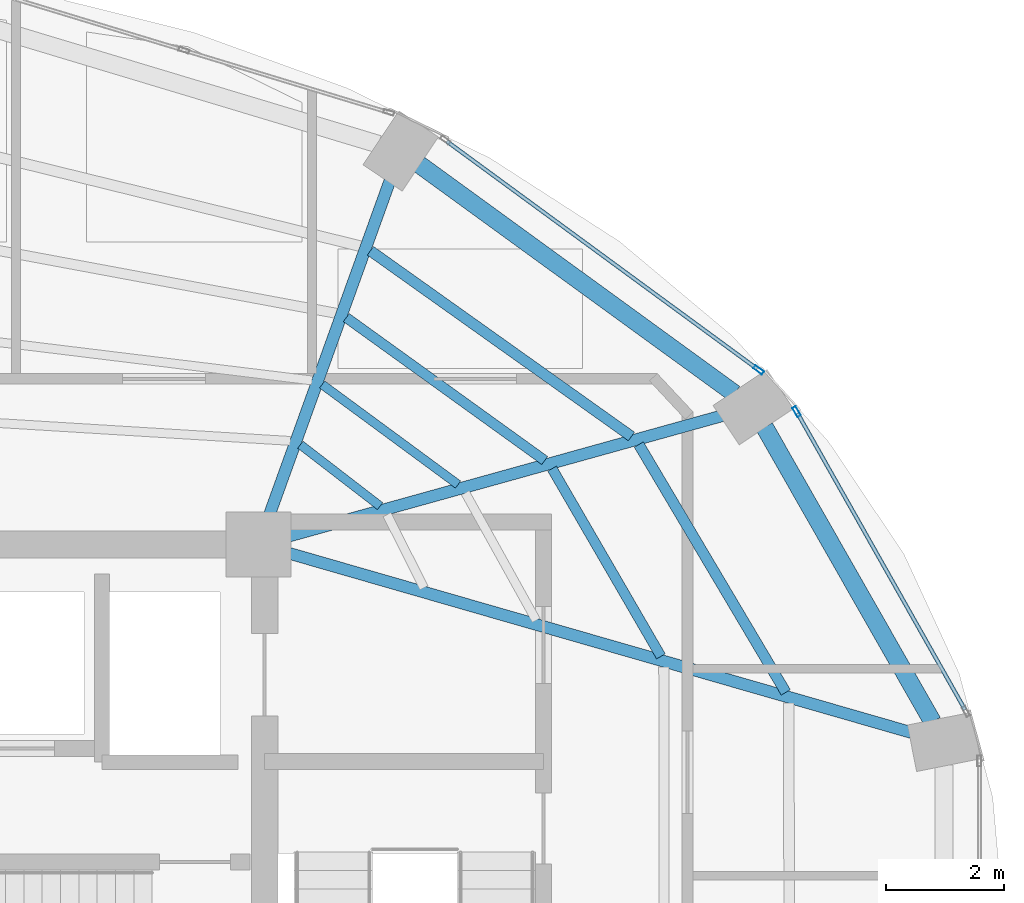
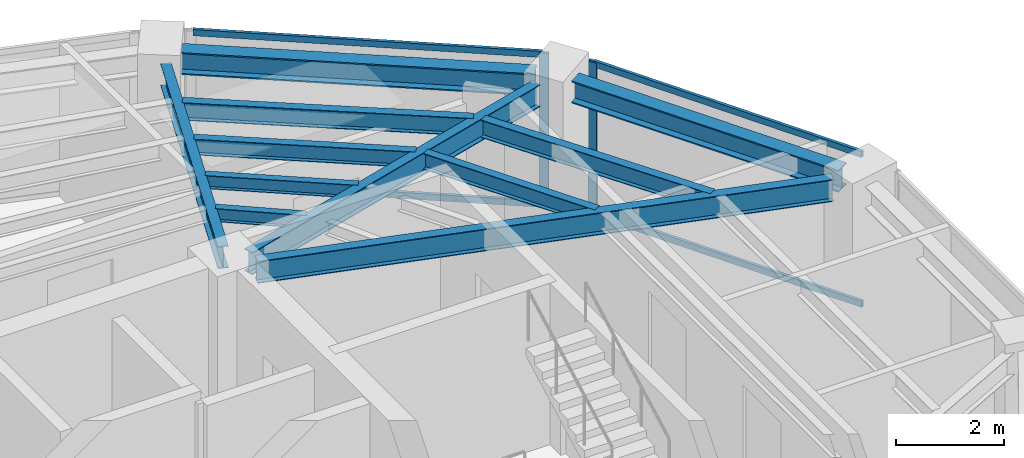
# One storey, part 6 of 15: 11 beams, 6 members, 2 elements without a shape of their own.
"""IFC4 building model written with IfcOpenShell, lengths in metres."""

from ifc_helpers import new_model, si_unit, direction, frame, origin, origin_2d, place, context, subcontext, project, spatial, hollow_rectangle, i_section, extrude, material, layer, layer_set, material_profile, profile_set, type_object, element, aggregate, save


model = new_model("IFC4")

# Units and contexts
model_context = context("Model", 3, precision=1e-05, world=origin(), true_north=direction((0.0, 1.0)))
body_context = subcontext(model_context, "Body", "Model", "MODEL_VIEW")
ifc_project = project(units=[si_unit("LENGTHUNIT", "METRE"), si_unit("AREAUNIT", "SQUARE_METRE"), si_unit("VOLUMEUNIT", "CUBIC_METRE"), si_unit("PLANEANGLEUNIT", "RADIAN"), si_unit("MASSUNIT", "GRAM", prefix="KILO")], contexts=[model_context])

# Site, building, storey
site_placement = place(None, origin())
site = spatial("IfcSite", under=ifc_project, at=site_placement, CompositionType="ELEMENT")
building_placement = place(site_placement, origin())
building = spatial("IfcBuilding", under=site, at=building_placement, Name="Lazwardi Medical Tower", CompositionType="ELEMENT")
storey_placement = place(building_placement, frame((0.0, 0.0, 269.615966796875)))
storey = spatial("IfcBuildingStorey", under=building, at=storey_placement, Name="L70", CompositionType="ELEMENT", Elevation=269.615966796875)

# Beams
ifc_material_1 = material(Name="Steel S355", Category="steel")
ifc_material_profile_1 = material_profile(ifc_material_1, i_section(OverallWidth=0.300048828125, OverallDepth=0.5, WebThickness=0.014404296875, FlangeThickness=0.028076171875, at=origin_2d()), Name="HEB 500")
ifc_profile_set_1 = profile_set([ifc_material_profile_1], Name="Steel S355")
beam_type_1 = type_object("IfcBeamType", Name="BM-RB-Z4", PredefinedType="BEAM", material=ifc_profile_set_1)
beam_1_placement = place(storey_placement, frame((56.991943359375, 32.601806640625, 3.197998046875), z_axis=(-0.495125273299, 0.868821594886, 0.0), x_axis=(-0.868821594886, -0.495125273299, 0.0)))
element("IfcBeam", 1, at=beam_1_placement, inside=storey, type_object=beam_type_1, Name="Ring beam RB-05 B05 L70", PredefinedType="BEAM", context=body_context, shape_type="SweptSolid", body=[
    extrude(i_section(OverallWidth=0.300048828125, OverallDepth=0.5, WebThickness=0.014404296875, FlangeThickness=0.028076171875, at=origin_2d()), origin(), (0.0, 0.0, 1.0), 5.734130859375),
])
beam_2_placement = place(storey_placement, frame((53.644287109375, 38.15185546875, 3.197998046875), z_axis=(-0.808889916254, 0.587960120571, 0.0), x_axis=(-0.587960120571, -0.808889916254, 0.0)))
element("IfcBeam", 2, at=beam_2_placement, inside=storey, type_object=beam_type_1, Name="Ring beam RB-05 B06 L70", PredefinedType="BEAM", context=body_context, shape_type="SweptSolid", body=[
    extrude(i_section(OverallWidth=0.300048828125, OverallDepth=0.5, WebThickness=0.014404296875, FlangeThickness=0.028076171875, at=origin_2d()), origin(), (0.0, 0.0, 1.0), 6.587158203125),
])
ifc_material_profile_2 = material_profile(ifc_material_1, i_section(OverallWidth=0.199951171875, OverallDepth=0.5, WebThickness=0.01025390625, FlangeThickness=0.01611328125, at=origin_2d()), Name="IPE 500")
ifc_profile_set_2 = profile_set([ifc_material_profile_2], Name="Steel S355")
beam_type_2 = type_object("IfcBeamType", Name="BM-RG-W3", PredefinedType="BEAM", material=ifc_profile_set_2)
beam_3_placement = place(storey_placement, frame((56.6708984375, 32.410888671875, 3.197998046875), z_axis=(-0.960926292206, 0.276804373065, 0.0), x_axis=(-0.276804373065, -0.960926292206, 0.0)))
element("IfcBeam", 3, at=beam_3_placement, inside=storey, type_object=beam_type_2, Name="Radial girder RG-04 R05 L70", PredefinedType="BEAM", context=body_context, shape_type="SweptSolid", body=[
    extrude(i_section(OverallWidth=0.199951171875, OverallDepth=0.5, WebThickness=0.01025390625, FlangeThickness=0.01611328125, at=origin_2d()), origin(), (0.0, 0.0, 1.0), 10.986083984375),
])
beam_4_placement = place(storey_placement, frame((53.444091796875, 37.779296875, 3.197998046875), z_axis=(-0.963504112843, -0.267693527254, 0.0), x_axis=(0.267693527254, -0.963504112843, 0.0)))
element("IfcBeam", 4, at=beam_4_placement, inside=storey, type_object=beam_type_2, Name="Radial girder RG-04 R06 L70", PredefinedType="BEAM", context=body_context, shape_type="SweptSolid", body=[
    extrude(i_section(OverallWidth=0.199951171875, OverallDepth=0.5, WebThickness=0.01025390625, FlangeThickness=0.01611328125, at=origin_2d()), origin(), (0.0, 0.0, 1.0), 7.606201171875),
])
beam_5_placement = place(storey_placement, frame((47.81884765625, 41.750732421875, 3.197998046875), z_axis=(-0.339348661818, -0.940660664492, 0.0), x_axis=(0.940660664492, -0.339348661818, 0.0)))
element("IfcBeam", 5, at=beam_5_placement, inside=storey, type_object=beam_type_2, Name="Radial girder RG-04 R07 L70", PredefinedType="BEAM", context=body_context, shape_type="SweptSolid", body=[
    extrude(i_section(OverallWidth=0.199951171875, OverallDepth=0.5, WebThickness=0.01025390625, FlangeThickness=0.01611328125, at=origin_2d()), origin(), (0.0, 0.0, 1.0), 6.003662109375),
])
ifc_material_profile_3 = material_profile(ifc_material_1, i_section(OverallWidth=0.179931640625, OverallDepth=0.39990234375, WebThickness=0.008544921875, FlangeThickness=0.013427734375, at=origin_2d()), Name="IPE 400")
ifc_profile_set_3 = profile_set([ifc_material_profile_3], Name="Steel S355")
beam_type_3 = type_object("IfcBeamType", Name="BM-SJ-01", PredefinedType="JOIST", material=ifc_profile_set_3)
beam_6_placement = place(storey_placement, frame((54.510986328125, 33.100830078125, 3.248046875), z_axis=(-0.510029083291, 0.860157156685, 0.0), x_axis=(-0.860157156685, -0.510029083291, 0.0)))
element("IfcBeam", 6, at=beam_6_placement, inside=storey, type_object=beam_type_3, Name="Secondary joist SJ-01 R1 B05 L70", PredefinedType="JOIST", context=body_context, shape_type="SweptSolid", body=[
    extrude(i_section(OverallWidth=0.179931640625, OverallDepth=0.39990234375, WebThickness=0.008544921875, FlangeThickness=0.013427734375, at=origin_2d()), origin(), (0.0, 0.0, 1.0), 4.87060546875),
])
beam_7_placement = place(storey_placement, frame((51.901123046875, 37.42724609375, 3.248046875), z_axis=(-0.814846949116, 0.579676159176, 0.0), x_axis=(-0.579676159176, -0.814846949116, 0.0)))
element("IfcBeam", 7, at=beam_7_placement, inside=storey, type_object=beam_type_3, Name="Secondary joist SJ-01 R1 B06 L70", PredefinedType="JOIST", context=body_context, shape_type="SweptSolid", body=[
    extrude(i_section(OverallWidth=0.179931640625, OverallDepth=0.39990234375, WebThickness=0.008544921875, FlangeThickness=0.013427734375, at=origin_2d()), origin(), (0.0, 0.0, 1.0), 5.4150390625),
])
ifc_material_profile_4 = material_profile(ifc_material_1, i_section(OverallWidth=0.169921875, OverallDepth=0.360107421875, WebThickness=0.008056640625, FlangeThickness=0.0126953125, at=origin_2d()), Name="IPE 360")
ifc_profile_set_4 = profile_set([ifc_material_profile_4], Name="Steel S355")
beam_type_4 = type_object("IfcBeamType", Name="BM-SJ-02", PredefinedType="JOIST", material=ifc_profile_set_4)
beam_8_placement = place(storey_placement, frame((52.400390625, 33.70947265625, 3.26806640625), z_axis=(-0.501626451559, 0.865084332939, 0.0), x_axis=(-0.865084332939, -0.501626451559, 0.0)))
element("IfcBeam", 8, at=beam_8_placement, inside=storey, type_object=beam_type_4, Name="Secondary joist SJ-02 R2 B05 L70", PredefinedType="JOIST", context=body_context, shape_type="SweptSolid", body=[
    extrude(i_section(OverallWidth=0.169921875, OverallDepth=0.360107421875, WebThickness=0.008056640625, FlangeThickness=0.0126953125, at=origin_2d()), origin(), (0.0, 0.0, 1.0), 3.668212890625),
])
beam_9_placement = place(storey_placement, frame((50.435546875, 37.0205078125, 3.26806640625), z_axis=(-0.811472726235, 0.58439029302, 0.0), x_axis=(-0.58439029302, -0.811472726235, 0.0)))
element("IfcBeam", 9, at=beam_9_placement, inside=storey, type_object=beam_type_4, Name="Secondary joist SJ-02 R2 B06 L70", PredefinedType="JOIST", context=body_context, shape_type="SweptSolid", body=[
    extrude(i_section(OverallWidth=0.169921875, OverallDepth=0.360107421875, WebThickness=0.008056640625, FlangeThickness=0.0126953125, at=origin_2d()), origin(), (0.0, 0.0, 1.0), 4.1337890625),
])
ifc_material_profile_5 = material_profile(ifc_material_1, i_section(OverallWidth=0.14990234375, OverallDepth=0.300048828125, WebThickness=0.007080078125, FlangeThickness=0.0107421875, at=origin_2d()), Name="IPE 300")
ifc_profile_set_5 = profile_set([ifc_material_profile_5], Name="Steel S355")
beam_type_5 = type_object("IfcBeamType", Name="BM-SJ-03", PredefinedType="JOIST", material=ifc_profile_set_5)
beam_10_placement = place(storey_placement, frame((48.970458984375, 36.614013671875, 3.298095703125), z_axis=(-0.805236450776, 0.592953841662, 0.0), x_axis=(-0.592953841662, -0.805236450776, 0.0)))
element("IfcBeam", 10, at=beam_10_placement, inside=storey, type_object=beam_type_5, Name="Secondary joist SJ-03 R3 B06 L70", PredefinedType="JOIST", context=body_context, shape_type="SweptSolid", body=[
    extrude(i_section(OverallWidth=0.14990234375, OverallDepth=0.300048828125, WebThickness=0.007080078125, FlangeThickness=0.0107421875, at=origin_2d()), origin(), (0.0, 0.0, 1.0), 2.853271484375),
])
beam_11_placement = place(storey_placement, frame((47.652587890625, 36.2490234375, 3.298095703125), z_axis=(-0.792010197197, 0.610507860339, 0.0), x_axis=(-0.610507860339, -0.792010197197, 0.0)))
element("IfcBeam", 11, at=beam_11_placement, inside=storey, type_object=beam_type_5, Name="Secondary joist SJ-03 R4 B06 L70", PredefinedType="JOIST", context=body_context, shape_type="SweptSolid", body=[
    extrude(i_section(OverallWidth=0.14990234375, OverallDepth=0.300048828125, WebThickness=0.007080078125, FlangeThickness=0.0107421875, at=origin_2d()), origin(), (0.0, 0.0, 1.0), 1.70166015625),
])

# Curtain wall, member
ifc_material_2 = material(Name="Anodised bronze aluminium and solar control glazing", Category="aluminium")
ifc_layer = layer(ifc_material_2, 0.18994140625)
ifc_layer_set = layer_set([ifc_layer], Name="Anodised bronze aluminium and solar control glazing")
curtain_wall_type = type_object("IfcCurtainWallType", Name="CW-SYS-04", PredefinedType="NOTDEFINED", material=ifc_layer_set)
curtain_wall_1_placement = place(storey_placement, origin())
curtain_wall_1 = element("IfcCurtainWall", 12, at=curtain_wall_1_placement, inside=storey, type_object=curtain_wall_type, Name="L70 Unitised bronze curtain wall CW-04", PredefinedType="NOTDEFINED")
ifc_material_3 = material(Name="Anodised bronze aluminium", Category="aluminium")
ifc_material_profile_6 = material_profile(ifc_material_3, hollow_rectangle(XDim=0.06494140625, YDim=0.179931640625, WallThickness=0.00390625, at=origin_2d()), Name="ALU-MULLION 180x65x4")
ifc_profile_set_6 = profile_set([ifc_material_profile_6], Name="Anodised bronze aluminium")
member_type_1 = type_object("IfcMemberType", Name="CW-MUL-03", PredefinedType="MULLION", material=ifc_profile_set_6)
member_1_placement = place(storey_placement, frame((54.6943359375, 37.845458984375, 0.0), z_axis=(0.0, 0.0, 1.0), x_axis=(-0.870651436011, -0.491900474661, 0.0)))
member_1 = element("IfcMember", 13, at=member_1_placement, type_object=member_type_1, Name="CW-04 mullion 2", PredefinedType="MULLION", context=body_context, shape_type="SweptSolid", body=[
    extrude(hollow_rectangle(XDim=0.06494140625, YDim=0.179931640625, WallThickness=0.00390625, at=origin_2d()), origin(), (0.0, 0.0, 1.0), 3.447998046875),
])

curtain_wall_2_placement = place(storey_placement, origin())
curtain_wall_2 = element("IfcCurtainWall", 14, at=curtain_wall_2_placement, inside=storey, type_object=curtain_wall_type, Name="L70 Unitised bronze curtain wall CW-04", PredefinedType="NOTDEFINED")
member_2_placement = place(storey_placement, frame((54.052001953125, 38.551513671875, 0.0), z_axis=(0.0, 0.0, 1.0), x_axis=(-0.591268230971, -0.806474971121, 0.0)))
member_2 = element("IfcMember", 15, at=member_2_placement, type_object=member_type_1, Name="CW-04 mullion 1", PredefinedType="MULLION", context=body_context, shape_type="SweptSolid", body=[
    extrude(hollow_rectangle(XDim=0.06494140625, YDim=0.179931640625, WallThickness=0.00390625, at=origin_2d()), origin(), (0.0, 0.0, 1.0), 3.447998046875),
])

# Member
ifc_material_profile_7 = material_profile(ifc_material_3, hollow_rectangle(XDim=0.06494140625, YDim=0.139892578125, WallThickness=0.00341796875, at=origin_2d()), Name="ALU-TRANSOM 140x65x3.5")
ifc_profile_set_7 = profile_set([ifc_material_profile_7], Name="Anodised bronze aluminium")
member_type_2 = type_object("IfcMemberType", Name="CW-TRN-03", PredefinedType="USERDEFINED", material=ifc_profile_set_7)
member_3_placement = place(storey_placement, frame((57.541259765625, 32.806396484375, 0.032470703125), z_axis=(-0.491879719484, 0.87066316194, 0.0), x_axis=(-0.87066316194, -0.491879719484, 0.0)))
member_3 = element("IfcMember", 16, at=member_3_placement, type_object=member_type_2, Name="CW-04 transom 1.1", ObjectType="TRANSOM", PredefinedType="USERDEFINED", context=body_context, shape_type="SweptSolid", body=[
    extrude(hollow_rectangle(XDim=0.06494140625, YDim=0.139892578125, WallThickness=0.00341796875, at=origin_2d()), origin(), (0.0, 0.0, 1.0), 5.755126953125),
])

member_4_placement = place(storey_placement, frame((57.541259765625, 32.806396484375, 3.41552734375), z_axis=(-0.491879719484, 0.87066316194, 0.0), x_axis=(-0.87066316194, -0.491879719484, 0.0)))
member_4 = element("IfcMember", 17, at=member_4_placement, type_object=member_type_2, Name="CW-04 transom 1.2", ObjectType="TRANSOM", PredefinedType="USERDEFINED", context=body_context, shape_type="SweptSolid", body=[
    extrude(hollow_rectangle(XDim=0.06494140625, YDim=0.139892578125, WallThickness=0.00341796875, at=origin_2d()), origin(), (0.0, 0.0, 1.0), 5.755126953125),
])

aggregate(curtain_wall_1, [member_1, member_3, member_4])

member_5_placement = place(storey_placement, frame((54.02587890625, 38.57080078125, 0.032470703125), z_axis=(-0.806471831148, 0.591272513791, 0.0), x_axis=(-0.591272513791, -0.806471831148, 0.0)))
member_5 = element("IfcMember", 18, at=member_5_placement, type_object=member_type_2, Name="CW-04 transom 1.1", ObjectType="TRANSOM", PredefinedType="USERDEFINED", context=body_context, shape_type="SweptSolid", body=[
    extrude(hollow_rectangle(XDim=0.06494140625, YDim=0.139892578125, WallThickness=0.00341796875, at=origin_2d()), origin(), (0.0, 0.0, 1.0), 6.5029296875),
])

member_6_placement = place(storey_placement, frame((54.02587890625, 38.57080078125, 3.41552734375), z_axis=(-0.806471831148, 0.591272513791, 0.0), x_axis=(-0.591272513791, -0.806471831148, 0.0)))
member_6 = element("IfcMember", 19, at=member_6_placement, type_object=member_type_2, Name="CW-04 transom 1.2", ObjectType="TRANSOM", PredefinedType="USERDEFINED", context=body_context, shape_type="SweptSolid", body=[
    extrude(hollow_rectangle(XDim=0.06494140625, YDim=0.139892578125, WallThickness=0.00341796875, at=origin_2d()), origin(), (0.0, 0.0, 1.0), 6.5029296875),
])

aggregate(curtain_wall_2, [member_2, member_5, member_6])

save(model, "model.ifc")
